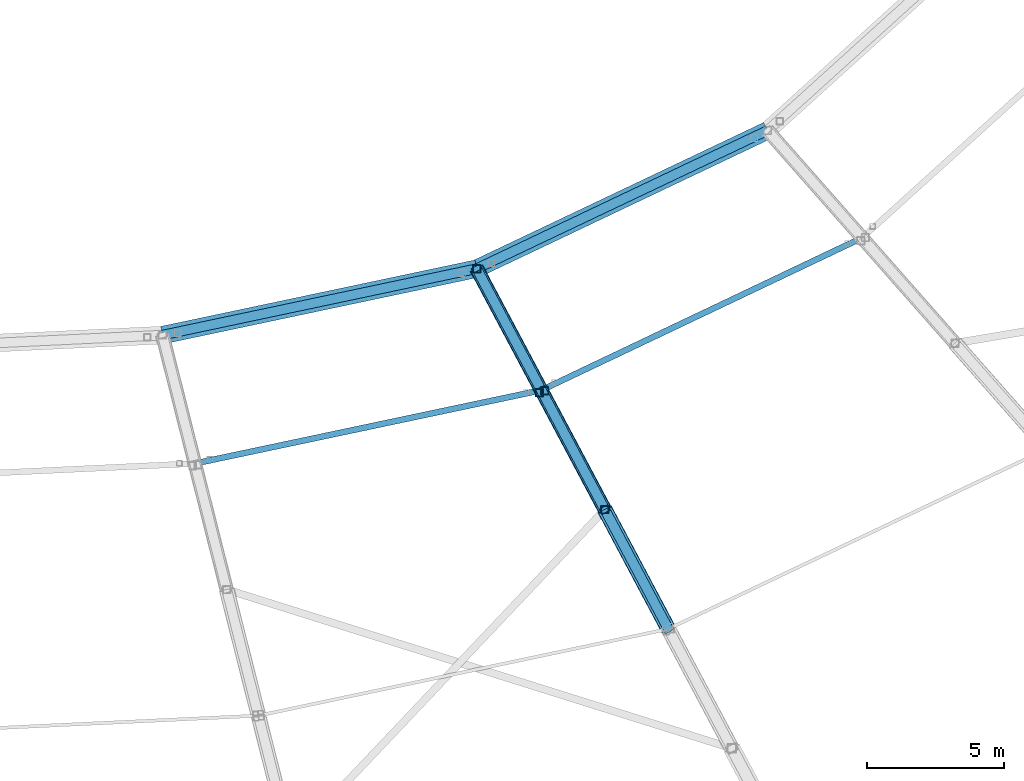
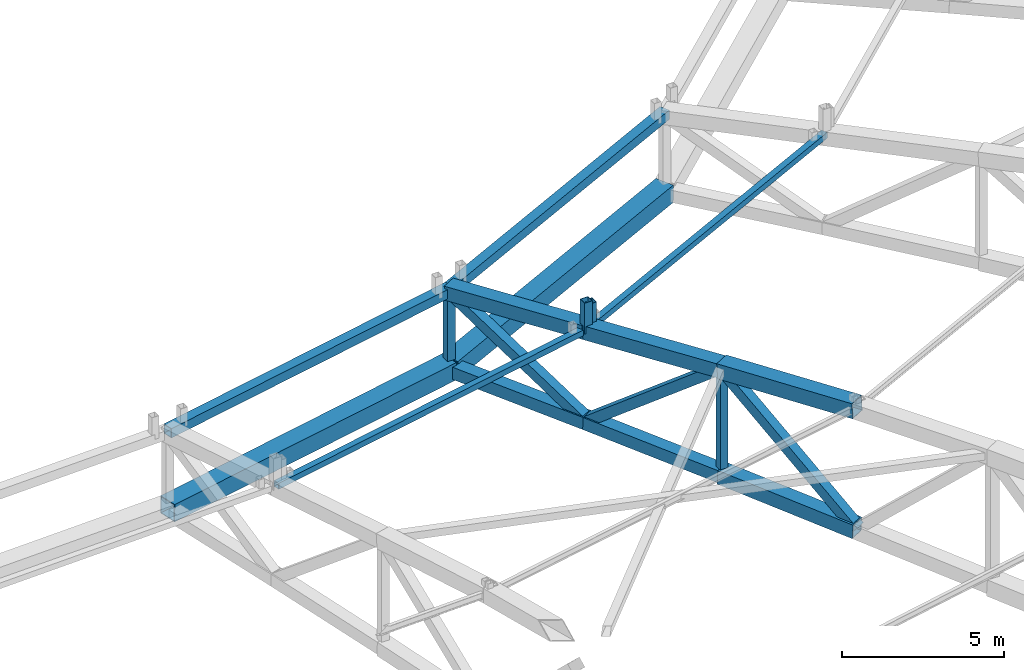
# One storey, part 35 of 162: 19 members.
"""IFC4 building model written with IfcOpenShell, lengths in metres."""

from ifc_helpers import new_model, si_unit, direction, frame, origin, origin_2d, place, context, subcontext, project, spatial, hollow_rectangle, extrude, material, material_profile, profile_set, type_object, element, save


model = new_model("IFC4")

# Units and contexts
model_context = context("Model", 3, precision=1e-05, world=origin(), true_north=direction((0.0, 1.0)))
body_context = subcontext(model_context, "Body", "Model", "MODEL_VIEW")
ifc_project = project(units=[si_unit("LENGTHUNIT", "METRE"), si_unit("AREAUNIT", "SQUARE_METRE"), si_unit("VOLUMEUNIT", "CUBIC_METRE"), si_unit("PLANEANGLEUNIT", "RADIAN"), si_unit("MASSUNIT", "GRAM", prefix="KILO")], contexts=[model_context])

# Site, building, storey
site_placement = place(None, origin())
site = spatial("IfcSite", under=ifc_project, at=site_placement, CompositionType="ELEMENT")
building_placement = place(site_placement, origin())
building = spatial("IfcBuilding", under=site, at=building_placement, Name="Kazemori Nagisa Stadium", CompositionType="ELEMENT")
storey_placement = place(building_placement, frame((0.0, 0.0, 36.719970703125)))
storey = spatial("IfcBuildingStorey", under=building, at=storey_placement, Name="RF", CompositionType="ELEMENT", Elevation=36.719970703125)

# Members
ifc_material = material(Name="Steel STKR490", Category="steel")
ifc_material_profile_1 = material_profile(ifc_material, hollow_rectangle(XDim=0.280029296875, YDim=0.280029296875, WallThickness=0.010009765625, at=origin_2d()), Name="SHS-280x280x10")
ifc_profile_set_1 = profile_set([ifc_material_profile_1], Name="Steel STKR490")
member_type_1 = type_object("IfcMemberType", Name="Member_ST-SHS280", PredefinedType="STUD", material=ifc_profile_set_1)
member_1_placement = place(storey_placement, frame((148.180419921875, 54.431884765625, 5.09814453125), z_axis=(0.0, 0.0, 1.0), x_axis=(1.0, 0.0, 0.0)))
element("IfcMember", 1, at=member_1_placement, inside=storey, type_object=member_type_1, Name="Canopy bearing stool B23-inner-3", PredefinedType="STUD", context=body_context, shape_type="SweptSolid", body=[
    extrude(hollow_rectangle(XDim=0.280029296875, YDim=0.280029296875, WallThickness=0.010009765625, at=origin_2d()), origin(), (0.0, 0.0, 1.0), 1.160888671875),
])
member_2_placement = place(storey_placement, frame((148.37353515625, 54.508056640625, 5.09814453125), z_axis=(0.0, 0.0, 1.0), x_axis=(1.0, 0.0, 0.0)))
element("IfcMember", 2, at=member_2_placement, inside=storey, type_object=member_type_1, Name="Canopy bearing stool B24-inner-4", PredefinedType="STUD", context=body_context, shape_type="SweptSolid", body=[
    extrude(hollow_rectangle(XDim=0.280029296875, YDim=0.280029296875, WallThickness=0.010009765625, at=origin_2d()), origin(), (0.0, 0.0, 1.0), 1.0068359375),
])
ifc_material_profile_2 = material_profile(ifc_material, hollow_rectangle(XDim=0.360107421875, YDim=0.360107421875, WallThickness=0.013916015625, at=origin_2d()), Name="SHS-360x360x14")
ifc_profile_set_2 = profile_set([ifc_material_profile_2], Name="Steel STKR490")
member_type_2 = type_object("IfcMemberType", Name="Member_TB-SHS360", PredefinedType="BRACE", material=ifc_profile_set_2)
member_3_placement = place(storey_placement, frame((152.877685546875, 45.8359375, 1.22998046875), z_axis=(-0.355613842872, 0.66844735547, 0.653235736716), x_axis=(-0.88284131776, -0.469671382624, 0.0)))
element("IfcMember", 3, at=member_3_placement, inside=storey, type_object=member_type_2, Name="Roof space truss diagonal RT-24-7", PredefinedType="BRACE", context=body_context, shape_type="SweptSolid", body=[
    extrude(hollow_rectangle(XDim=0.360107421875, YDim=0.360107421875, WallThickness=0.013916015625, at=origin_2d()), origin(), (0.0, 0.0, 1.0), 6.5),
])
member_4_placement = place(storey_placement, frame((150.566162109375, 50.180908203125, 5.47607421875), z_axis=(-0.370719414859, 0.696954066299, -0.613858407872), x_axis=(-0.882872826789, -0.469612150309, 0.0)))
element("IfcMember", 4, at=member_4_placement, inside=storey, type_object=member_type_2, Name="Roof space truss diagonal RT-24-8", PredefinedType="BRACE", context=body_context, shape_type="SweptSolid", body=[
    extrude(hollow_rectangle(XDim=0.360107421875, YDim=0.360107421875, WallThickness=0.013916015625, at=origin_2d()), origin(), (0.0, 0.0, 1.0), 6.234619140625),
])
member_5_placement = place(storey_placement, frame((148.2548828125, 54.526123046875, 1.64892578125), z_axis=(-0.400470479158, 0.75280808625, 0.522401551108), x_axis=(-0.882852625081, -0.469650127636, 0.0)))
element("IfcMember", 5, at=member_5_placement, inside=storey, type_object=member_type_2, Name="Roof space truss diagonal RT-24-9", PredefinedType="BRACE", context=body_context, shape_type="SweptSolid", body=[
    extrude(hollow_rectangle(XDim=0.360107421875, YDim=0.360107421875, WallThickness=0.013916015625, at=origin_2d()), origin(), (0.0, 0.0, 1.0), 5.878662109375),
])
ifc_material_profile_3 = material_profile(ifc_material, hollow_rectangle(XDim=0.35009765625, YDim=0.35009765625, WallThickness=0.01611328125, at=origin_2d()), Name="SHS-350x350x16")
ifc_profile_set_3 = profile_set([ifc_material_profile_3], Name="Steel STKR490")
member_type_3 = type_object("IfcMemberType", Name="Member_TC-SHS350", PredefinedType="CHORD", material=ifc_profile_set_3)
member_6_placement = place(storey_placement, frame((134.4638671875, 56.531982421875, 4.845947265625), z_axis=(0.978286636935, 0.206976173736, -0.01077587586), x_axis=(-0.206988191768, 0.97834344096, 0.0)))
element("IfcMember", 6, at=member_6_placement, inside=storey, type_object=member_type_3, Name="Roof tension ring beam upper TR-23", PredefinedType="CHORD", context=body_context, shape_type="SweptSolid", body=[
    extrude(hollow_rectangle(XDim=0.35009765625, YDim=0.35009765625, WallThickness=0.01611328125, at=origin_2d()), origin(), (0.0, 0.0, 1.0), 11.690673828125),
])
member_7_placement = place(storey_placement, frame((145.900634765625, 58.95166015625, 4.719970703125), z_axis=(0.90317547141, 0.429161397744, -0.009724326674), x_axis=(-0.429181690477, 0.903218177717, 0.0)))
element("IfcMember", 7, at=member_7_placement, inside=storey, type_object=member_type_3, Name="Roof tension ring beam upper TR-24", PredefinedType="CHORD", context=body_context, shape_type="SweptSolid", body=[
    extrude(hollow_rectangle(XDim=0.35009765625, YDim=0.35009765625, WallThickness=0.01611328125, at=origin_2d()), origin(), (0.0, 0.0, 1.0), 11.724609375),
])
ifc_material_profile_4 = material_profile(ifc_material, hollow_rectangle(XDim=0.4599609375, YDim=0.4599609375, WallThickness=0.01611328125, at=origin_2d()), Name="SHS-460x460x16")
ifc_profile_set_4 = profile_set([ifc_material_profile_4], Name="Steel STKR490")
member_type_4 = type_object("IfcMemberType", Name="Member_TC-SHS460", PredefinedType="CHORD", material=ifc_profile_set_4)
member_8_placement = place(storey_placement, frame((150.566162109375, 50.180908203125, 1.466064453125), z_axis=(-0.469288349816, 0.882264080493, 0.037128654697), x_axis=(-0.882872826789, -0.469612150309, 0.0)))
element("IfcMember", 8, at=member_8_placement, inside=storey, type_object=member_type_4, Name="Roof space truss bottom chord RT-24-8", PredefinedType="CHORD", context=body_context, shape_type="SweptSolid", body=[
    extrude(hollow_rectangle(XDim=0.4599609375, YDim=0.4599609375, WallThickness=0.01611328125, at=origin_2d()), origin(), (0.0, 0.0, 1.0), 4.925048828125),
])
member_9_placement = place(storey_placement, frame((148.2548828125, 54.526123046875, 1.64892578125), z_axis=(-0.469461565989, 0.882498165164, 0.028334193861), x_axis=(-0.882852625081, -0.469650127636, 0.0)))
element("IfcMember", 9, at=member_9_placement, inside=storey, type_object=member_type_4, Name="Roof space truss bottom chord RT-24-9", PredefinedType="CHORD", context=body_context, shape_type="SweptSolid", body=[
    extrude(hollow_rectangle(XDim=0.4599609375, YDim=0.4599609375, WallThickness=0.01611328125, at=origin_2d()), origin(), (0.0, 0.0, 1.0), 5.014892578125),
])
ifc_material_profile_5 = material_profile(ifc_material, hollow_rectangle(XDim=0.52001953125, YDim=0.52001953125, WallThickness=0.01904296875, at=origin_2d()), Name="SHS-520x520x19")
ifc_profile_set_5 = profile_set([ifc_material_profile_5], Name="Steel STKR490")
member_type_5 = type_object("IfcMemberType", Name="Member_TC-SHS520", PredefinedType="CHORD", material=ifc_profile_set_5)
member_10_placement = place(storey_placement, frame((152.877685546875, 45.8359375, 1.22998046875), z_axis=(-0.469131946478, 0.881827339615, 0.047914088746), x_axis=(-0.88284131776, -0.469671382624, 0.0)))
element("IfcMember", 10, at=member_10_placement, inside=storey, type_object=member_type_5, Name="Roof space truss bottom chord RT-24-7", PredefinedType="CHORD", context=body_context, shape_type="SweptSolid", body=[
    extrude(hollow_rectangle(XDim=0.52001953125, YDim=0.52001953125, WallThickness=0.01904296875, at=origin_2d()), origin(), (0.0, 0.0, 1.0), 4.92724609375),
])
member_11_placement = place(storey_placement, frame((150.566162109375, 50.180908203125, 5.47607421875), z_axis=(-0.468233704527, 0.880281342893, -0.076563407057), x_axis=(-0.882872826789, -0.469612150309, 0.0)))
element("IfcMember", 11, at=member_11_placement, inside=storey, type_object=member_type_5, Name="Roof space truss top chord RT-24-8", PredefinedType="CHORD", context=body_context, shape_type="SweptSolid", body=[
    extrude(hollow_rectangle(XDim=0.52001953125, YDim=0.52001953125, WallThickness=0.01904296875, at=origin_2d()), origin(), (0.0, 0.0, 1.0), 4.936279296875),
])
member_12_placement = place(storey_placement, frame((148.2548828125, 54.526123046875, 5.09814453125), z_axis=(-0.46831929692, 0.880350917274, -0.075228309751), x_axis=(-0.882852625081, -0.469650127636, 0.0)))
element("IfcMember", 12, at=member_12_placement, inside=storey, type_object=member_type_5, Name="Roof space truss top chord RT-24-9", PredefinedType="CHORD", context=body_context, shape_type="SweptSolid", body=[
    extrude(hollow_rectangle(XDim=0.52001953125, YDim=0.52001953125, WallThickness=0.01904296875, at=origin_2d()), origin(), (0.0, 0.0, 1.0), 5.027099609375),
])
ifc_material_profile_6 = material_profile(ifc_material, hollow_rectangle(XDim=0.56005859375, YDim=0.56005859375, WallThickness=0.02001953125, at=origin_2d()), Name="SHS-560x560x20")
ifc_profile_set_6 = profile_set([ifc_material_profile_6], Name="Steel STKR490")
member_type_6 = type_object("IfcMemberType", Name="Member_TC-SHS560", PredefinedType="CHORD", material=ifc_profile_set_6)
member_13_placement = place(storey_placement, frame((152.877685546875, 45.8359375, 5.7900390625), z_axis=(-0.468718598203, 0.881050368845, -0.0636641442), x_axis=(-0.88284131776, -0.469671382624, 0.0)))
element("IfcMember", 13, at=member_13_placement, inside=storey, type_object=member_type_6, Name="Roof space truss top chord RT-24-7", PredefinedType="CHORD", context=body_context, shape_type="SweptSolid", body=[
    extrude(hollow_rectangle(XDim=0.56005859375, YDim=0.56005859375, WallThickness=0.02001953125, at=origin_2d()), origin(), (0.0, 0.0, 1.0), 4.931640625),
])
ifc_material_profile_7 = material_profile(ifc_material, hollow_rectangle(XDim=0.64990234375, YDim=0.64990234375, WallThickness=0.02490234375, at=origin_2d()), Name="SHS-650x650x25")
ifc_profile_set_7 = profile_set([ifc_material_profile_7], Name="Steel STKR490")
member_type_7 = type_object("IfcMemberType", Name="Member_TC-SHS650", PredefinedType="CHORD", material=ifc_profile_set_7)
member_14_placement = place(storey_placement, frame((134.4638671875, 56.531982421875, 1.907958984375), z_axis=(0.978294490591, 0.206977835335, -0.010003267392), x_axis=(-0.206988191768, 0.97834344096, 0.0)))
element("IfcMember", 14, at=member_14_placement, inside=storey, type_object=member_type_7, Name="Roof tension ring beam lower TR-23", PredefinedType="CHORD", context=body_context, shape_type="SweptSolid", body=[
    extrude(hollow_rectangle(XDim=0.64990234375, YDim=0.64990234375, WallThickness=0.02490234375, at=origin_2d()), origin(), (0.0, 0.0, 1.0), 11.6904296875),
])
member_15_placement = place(storey_placement, frame((145.900634765625, 58.95166015625, 1.791015625), z_axis=(0.903182640565, 0.429164804308, -0.008870655344), x_axis=(-0.429181690477, 0.903218177717, 0.0)))
element("IfcMember", 15, at=member_15_placement, inside=storey, type_object=member_type_7, Name="Roof tension ring beam lower TR-24", PredefinedType="CHORD", context=body_context, shape_type="SweptSolid", body=[
    extrude(hollow_rectangle(XDim=0.64990234375, YDim=0.64990234375, WallThickness=0.02490234375, at=origin_2d()), origin(), (0.0, 0.0, 1.0), 11.724609375),
])
ifc_material_profile_8 = material_profile(ifc_material, hollow_rectangle(XDim=0.219970703125, YDim=0.219970703125, WallThickness=0.009033203125, at=origin_2d()), Name="SHS-220x220x9")
ifc_profile_set_8 = profile_set([ifc_material_profile_8], Name="Steel STKR490")
member_type_8 = type_object("IfcMemberType", Name="Member_TP-SHS220", PredefinedType="PURLIN", material=ifc_profile_set_8)
member_16_placement = place(storey_placement, frame((135.642333984375, 51.857666015625, 5.235107421875), z_axis=(0.978287931146, 0.206977934756, -0.010623478627), x_axis=(-0.206989615333, 0.978343139775, 0.0)))
element("IfcMember", 16, at=member_16_placement, inside=storey, type_object=member_type_8, Name="Roof purlin TP-SHS220 B23-P8", PredefinedType="PURLIN", context=body_context, shape_type="SweptSolid", body=[
    extrude(hollow_rectangle(XDim=0.219970703125, YDim=0.219970703125, WallThickness=0.009033203125, at=origin_2d()), origin(), (0.0, 0.0, 1.0), 12.892578125),
])
member_17_placement = place(storey_placement, frame((148.2548828125, 54.526123046875, 5.09814453125), z_axis=(0.903175671915, 0.429165635585, -0.009516453884), x_axis=(-0.429185070146, 0.903216571794, 0.0)))
element("IfcMember", 17, at=member_17_placement, inside=storey, type_object=member_type_8, Name="Roof purlin TP-SHS220 B24-P8", PredefinedType="PURLIN", context=body_context, shape_type="SweptSolid", body=[
    extrude(hollow_rectangle(XDim=0.219970703125, YDim=0.219970703125, WallThickness=0.009033203125, at=origin_2d()), origin(), (0.0, 0.0, 1.0), 12.929931640625),
])
ifc_material_profile_9 = material_profile(ifc_material, hollow_rectangle(XDim=0.280029296875, YDim=0.280029296875, WallThickness=0.010009765625, at=origin_2d()), Name="SHS-280x280x10")
ifc_profile_set_9 = profile_set([ifc_material_profile_9], Name="Steel STKR490")
member_type_9 = type_object("IfcMemberType", Name="Member_TS-SHS280", PredefinedType="STRUT", material=ifc_profile_set_9)
member_18_placement = place(storey_placement, frame((150.566162109375, 50.180908203125, 1.466064453125), z_axis=(0.0, 0.0, 1.0), x_axis=(1.0, 0.0, 0.0)))
element("IfcMember", 18, at=member_18_placement, inside=storey, type_object=member_type_9, Name="Roof space truss strut RT-24-8", PredefinedType="STRUT", context=body_context, shape_type="SweptSolid", body=[
    extrude(hollow_rectangle(XDim=0.280029296875, YDim=0.280029296875, WallThickness=0.010009765625, at=origin_2d()), origin(), (0.0, 0.0, 1.0), 4.010009765625),
])
member_19_placement = place(storey_placement, frame((145.900634765625, 58.95166015625, 1.791015625), z_axis=(0.0, 0.0, 1.0), x_axis=(1.0, 0.0, 0.0)))
element("IfcMember", 19, at=member_19_placement, inside=storey, type_object=member_type_9, Name="Roof space truss strut RT-24-10", PredefinedType="STRUT", context=body_context, shape_type="SweptSolid", body=[
    extrude(hollow_rectangle(XDim=0.280029296875, YDim=0.280029296875, WallThickness=0.010009765625, at=origin_2d()), origin(), (0.0, 0.0, 1.0), 2.928955078125),
])

save(model, "model.ifc")
